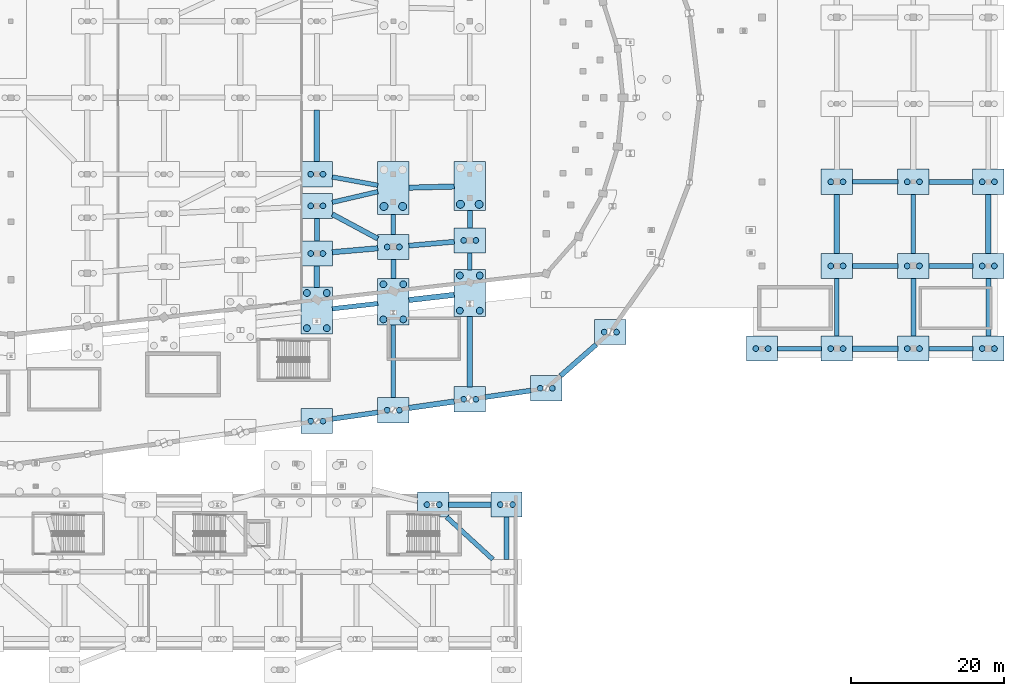
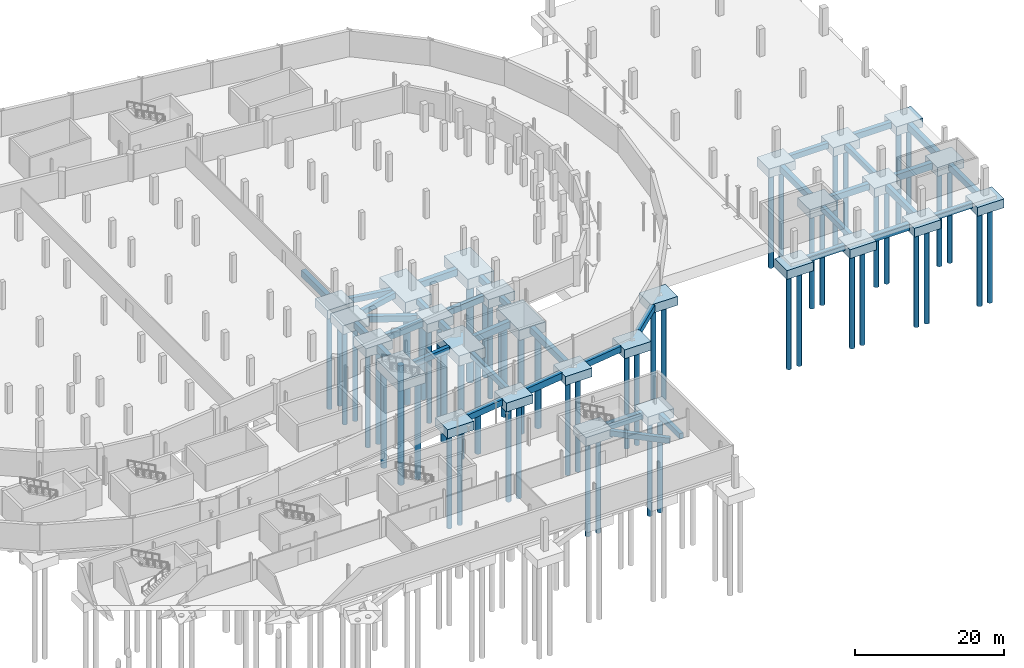
# One storey, part 5 of 55: 64 footings, 60 piles.
"""IFC4 building model written with IfcOpenShell, lengths in metres."""

from ifc_helpers import new_model, si_unit, direction, frame, origin, origin_2d, place, context, subcontext, project, spatial, rectangle, circle, extrude, material, material_profile, profile_set, type_object, element, save


model = new_model("IFC4")

# Units and contexts
model_context = context("Model", 3, precision=1e-05, world=origin(), true_north=direction((0.0, 1.0)))
body_context = subcontext(model_context, "Body", "Model", "MODEL_VIEW")
ifc_project = project(units=[si_unit("LENGTHUNIT", "METRE"), si_unit("AREAUNIT", "SQUARE_METRE"), si_unit("VOLUMEUNIT", "CUBIC_METRE"), si_unit("PLANEANGLEUNIT", "RADIAN"), si_unit("MASSUNIT", "GRAM", prefix="KILO")], contexts=[model_context])

# Site, building, storey
site_placement = place(None, origin())
site = spatial("IfcSite", under=ifc_project, at=site_placement, CompositionType="ELEMENT")
building_placement = place(site_placement, origin())
building = spatial("IfcBuilding", under=site, at=building_placement, Name="Sohan Crest Arena", CompositionType="ELEMENT")
storey_placement = place(building_placement, frame((0.0, 0.0, -4.5)))
storey = spatial("IfcBuildingStorey", under=building, at=storey_placement, Name="B1", CompositionType="ELEMENT", Elevation=-4.5)

# Footings
ifc_material = material(Name="Concrete C40/50", Category="concrete")
ifc_material_profile_1 = material_profile(ifc_material, rectangle(XDim=0.60009765625, YDim=0.89990234375, at=origin_2d()), Name="RC-FB 600x900")
ifc_profile_set_1 = profile_set([ifc_material_profile_1], Name="Concrete C40/50")
footing_type_1 = type_object("IfcFootingType", Name="FND-FB01", PredefinedType="FOOTING_BEAM", material=ifc_profile_set_1)
footing_1_placement = place(storey_placement, frame((140.030029296875, 50.403076171875, -1.0), z_axis=(0.993530698181, 0.113563866488, 0.0), x_axis=(-0.113563866488, 0.993530698181, 0.0)))
element("IfcFooting", 1, at=footing_1_placement, inside=storey, type_object=footing_type_1, Name="Continuous RC footing tie beam FB-144", PredefinedType="FOOTING_BEAM", context=body_context, shape_type="SweptSolid", body=[
    extrude(rectangle(XDim=0.60009765625, YDim=0.89990234375, at=origin_2d()), origin(), (0.0, 0.0, 1.0), 5.978515625),
])
footing_2_placement = place(storey_placement, frame((140.030029296875, 64.330078125, -1.0), z_axis=(0.973991592445, 0.226584151798, 0.0), x_axis=(-0.226584151798, 0.973991592445, 0.0)))
element("IfcFooting", 2, at=footing_2_placement, inside=storey, type_object=footing_type_1, Name="Continuous RC footing tie beam FB-147", PredefinedType="FOOTING_BEAM", context=body_context, shape_type="SweptSolid", body=[
    extrude(rectangle(XDim=0.60009765625, YDim=0.89990234375, at=origin_2d()), origin(), (0.0, 0.0, 1.0), 6.0986328125),
])
footing_3_placement = place(storey_placement, frame((140.030029296875, 67.632080078125, -1.0), z_axis=(0.983895781155, -0.17874308889, 0.0), x_axis=(0.17874308889, 0.983895781155, 0.0)))
element("IfcFooting", 3, at=footing_3_placement, inside=storey, type_object=footing_type_1, Name="Continuous RC footing tie beam FB-150", PredefinedType="FOOTING_BEAM", context=body_context, shape_type="SweptSolid", body=[
    extrude(rectangle(XDim=0.60009765625, YDim=0.89990234375, at=origin_2d()), origin(), (0.0, 0.0, 1.0), 6.037109375),
])
footing_4_placement = place(storey_placement, frame((148.0, 38.77294921875, -1.0), z_axis=(0.0, 1.0, 0.0), x_axis=(-1.0, 0.0, 0.0)))
element("IfcFooting", 4, at=footing_4_placement, inside=storey, type_object=footing_type_1, Name="Continuous RC footing tie beam FB-168", PredefinedType="FOOTING_BEAM", context=body_context, shape_type="SweptSolid", body=[
    extrude(rectangle(XDim=0.60009765625, YDim=0.89990234375, at=origin_2d()), origin(), (0.0, 0.0, 1.0), 9.510986328125),
])
footing_5_placement = place(storey_placement, frame((148.0, 60.115966796875, -1.0), z_axis=(0.0, 1.0, 0.0), x_axis=(-1.0, 0.0, 0.0)))
element("IfcFooting", 5, at=footing_5_placement, inside=storey, type_object=footing_type_1, Name="Continuous RC footing tie beam FB-171", PredefinedType="FOOTING_BEAM", context=body_context, shape_type="SweptSolid", body=[
    extrude(rectangle(XDim=0.60009765625, YDim=0.89990234375, at=origin_2d()), origin(), (0.0, 0.0, 1.0), 2.6240234375),
])
footing_6_placement = place(storey_placement, frame((154.97802734375, 23.169921875, -1.0), z_axis=(0.737168972532, -0.675708447435, 0.0), x_axis=(0.675708447435, 0.737168972532, 0.0)))
element("IfcFooting", 6, at=footing_6_placement, inside=storey, type_object=footing_type_1, Name="Continuous RC footing tie beam FB-189", PredefinedType="FOOTING_BEAM", context=body_context, shape_type="SweptSolid", body=[
    extrude(rectangle(XDim=0.60009765625, YDim=0.89990234375, at=origin_2d()), origin(), (0.0, 0.0, 1.0), 8.198974609375),
])
footing_7_placement = place(storey_placement, frame((158.0, 55.487060546875, -1.0), z_axis=(0.0, 1.0, 0.0), x_axis=(-1.0, 0.0, 0.0)))
element("IfcFooting", 7, at=footing_7_placement, inside=storey, type_object=footing_type_1, Name="Continuous RC footing tie beam FB-192", PredefinedType="FOOTING_BEAM", context=body_context, shape_type="SweptSolid", body=[
    extrude(rectangle(XDim=0.60009765625, YDim=0.89990234375, at=origin_2d()), origin(), (0.0, 0.0, 1.0), 2.225830078125),
])
footing_8_placement = place(storey_placement, frame((162.800048828125, 17.6298828125, -1.0), z_axis=(0.0, 1.0, 0.0), x_axis=(-1.0, 0.0, 0.0)))
element("IfcFooting", 8, at=footing_8_placement, inside=storey, type_object=footing_type_1, Name="Continuous RC footing tie beam FB-201", PredefinedType="FOOTING_BEAM", context=body_context, shape_type="SweptSolid", body=[
    extrude(rectangle(XDim=0.60009765625, YDim=0.89990234375, at=origin_2d()), origin(), (0.0, 0.0, 1.0), 5.5400390625),
])
footing_9_placement = place(storey_placement, frame((198.22998046875, 45.199951171875, -1.0), z_axis=(1.0, 0.0, 0.0), x_axis=(0.0, 1.0, 0.0)))
element("IfcFooting", 9, at=footing_9_placement, inside=storey, type_object=footing_type_1, Name="Continuous RC footing tie beam FB-204", PredefinedType="FOOTING_BEAM", context=body_context, shape_type="SweptSolid", body=[
    extrude(rectangle(XDim=0.60009765625, YDim=0.89990234375, at=origin_2d()), origin(), (0.0, 0.0, 1.0), 5.739990234375),
])
footing_10_placement = place(storey_placement, frame((206.0, 46.830078125, -1.0), z_axis=(0.0, 1.0, 0.0), x_axis=(-1.0, 0.0, 0.0)))
element("IfcFooting", 10, at=footing_10_placement, inside=storey, type_object=footing_type_1, Name="Continuous RC footing tie beam FB-207", PredefinedType="FOOTING_BEAM", context=body_context, shape_type="SweptSolid", body=[
    extrude(rectangle(XDim=0.60009765625, YDim=0.89990234375, at=origin_2d()), origin(), (0.0, 0.0, 1.0), 7.5400390625),
])
footing_11_placement = place(storey_placement, frame((208.030029296875, 67.0, -1.0), z_axis=(1.0, 0.0, 0.0), x_axis=(0.0, 1.0, 0.0)))
element("IfcFooting", 11, at=footing_11_placement, inside=storey, type_object=footing_type_1, Name="Continuous RC footing tie beam FB-210", PredefinedType="FOOTING_BEAM", context=body_context, shape_type="SweptSolid", body=[
    extrude(rectangle(XDim=0.60009765625, YDim=0.89990234375, at=origin_2d()), origin(), (0.0, 0.0, 1.0), 5.93994140625),
])
footing_12_placement = place(storey_placement, frame((218.030029296875, 45.199951171875, -1.0), z_axis=(1.0, 0.0, 0.0), x_axis=(0.0, 1.0, 0.0)))
element("IfcFooting", 12, at=footing_12_placement, inside=storey, type_object=footing_type_1, Name="Continuous RC footing tie beam FB-219", PredefinedType="FOOTING_BEAM", context=body_context, shape_type="SweptSolid", body=[
    extrude(rectangle(XDim=0.60009765625, YDim=0.89990234375, at=origin_2d()), origin(), (0.0, 0.0, 1.0), 5.739990234375),
])
footing_13_placement = place(storey_placement, frame((216.0, 57.6298828125, -1.0), z_axis=(0.0, 1.0, 0.0), x_axis=(-1.0, 0.0, 0.0)))
element("IfcFooting", 13, at=footing_13_placement, inside=storey, type_object=footing_type_1, Name="Continuous RC footing tie beam FB-222", PredefinedType="FOOTING_BEAM", context=body_context, shape_type="SweptSolid", body=[
    extrude(rectangle(XDim=0.60009765625, YDim=0.89990234375, at=origin_2d()), origin(), (0.0, 0.0, 1.0), 7.740234375),
])
ifc_material_profile_2 = material_profile(ifc_material, rectangle(XDim=0.64990234375, YDim=1.0, at=origin_2d()), Name="RC-FB 650x1000")
ifc_profile_set_2 = profile_set([ifc_material_profile_2], Name="Concrete C40/50")
footing_type_2 = type_object("IfcFootingType", Name="FND-FB02", PredefinedType="FOOTING_BEAM", material=ifc_profile_set_2)
footing_14_placement = place(storey_placement, frame((140.030029296875, 36.00390625, -1.050048828125), z_axis=(0.989936469339, 0.141512496521, 0.0), x_axis=(-0.141512496521, 0.989936469339, 0.0)))
element("IfcFooting", 14, at=footing_14_placement, inside=storey, type_object=footing_type_2, Name="Continuous RC footing tie beam FB-142", PredefinedType="FOOTING_BEAM", context=body_context, shape_type="SweptSolid", body=[
    extrude(rectangle(XDim=0.64990234375, YDim=1.0, at=origin_2d()), origin(), (0.0, 0.0, 1.0), 6.000244140625),
])
footing_15_placement = place(storey_placement, frame((138.0, 59.259033203125, -1.050048828125), z_axis=(0.0, 1.0, 0.0), x_axis=(-1.0, 0.0, 0.0)))
element("IfcFooting", 15, at=footing_15_placement, inside=storey, type_object=footing_type_2, Name="Continuous RC footing tie beam FB-145", PredefinedType="FOOTING_BEAM", context=body_context, shape_type="SweptSolid", body=[
    extrude(rectangle(XDim=0.64990234375, YDim=1.0, at=origin_2d()), origin(), (0.0, 0.0, 1.0), 2.968017578125),
])
footing_16_placement = place(storey_placement, frame((140.030029296875, 62.76708984375, -1.050048828125), z_axis=(0.88092063574, -0.473264020952, 0.0), x_axis=(0.473264020952, 0.88092063574, 0.0)))
element("IfcFooting", 16, at=footing_16_placement, inside=storey, type_object=footing_type_2, Name="Continuous RC footing tie beam FB-148", PredefinedType="FOOTING_BEAM", context=body_context, shape_type="SweptSolid", body=[
    extrude(rectangle(XDim=0.64990234375, YDim=1.0, at=origin_2d()), origin(), (0.0, 0.0, 1.0), 6.742919921875),
])
footing_17_placement = place(storey_placement, frame((148.0, 54.343994140625, -1.050048828125), z_axis=(0.0, 1.0, 0.0), x_axis=(-1.0, 0.0, 0.0)))
element("IfcFooting", 17, at=footing_17_placement, inside=storey, type_object=footing_type_2, Name="Continuous RC footing tie beam FB-169", PredefinedType="FOOTING_BEAM", context=body_context, shape_type="SweptSolid", body=[
    extrude(rectangle(XDim=0.64990234375, YDim=1.0, at=origin_2d()), origin(), (0.0, 0.0, 1.0), 2.511962890625),
])
footing_18_placement = place(storey_placement, frame((150.030029296875, 58.659912109375, -1.050048828125), z_axis=(0.996348142256, 0.085383718726, 0.0), x_axis=(-0.085383718726, 0.996348142256, 0.0)))
element("IfcFooting", 18, at=footing_18_placement, inside=storey, type_object=footing_type_2, Name="Continuous RC footing tie beam FB-172", PredefinedType="FOOTING_BEAM", context=body_context, shape_type="SweptSolid", body=[
    extrude(rectangle(XDim=0.64990234375, YDim=1.0, at=origin_2d()), origin(), (0.0, 0.0, 1.0), 5.961669921875),
])
footing_19_placement = place(storey_placement, frame((160.030029296875, 38.861083984375, -1.050048828125), z_axis=(0.989942168471, 0.14147262309, 0.0), x_axis=(-0.14147262309, 0.989942168471, 0.0)))
element("IfcFooting", 19, at=footing_19_placement, inside=storey, type_object=footing_type_2, Name="Continuous RC footing tie beam FB-190", PredefinedType="FOOTING_BEAM", context=body_context, shape_type="SweptSolid", body=[
    extrude(rectangle(XDim=0.64990234375, YDim=1.0, at=origin_2d()), origin(), (0.0, 0.0, 1.0), 6.000244140625),
])
footing_20_placement = place(storey_placement, frame((158.0, 60.972900390625, -1.050048828125), z_axis=(0.0, 1.0, 0.0), x_axis=(-1.0, 0.0, 0.0)))
element("IfcFooting", 20, at=footing_20_placement, inside=storey, type_object=footing_type_2, Name="Continuous RC footing tie beam FB-193", PredefinedType="FOOTING_BEAM", context=body_context, shape_type="SweptSolid", body=[
    extrude(rectangle(XDim=0.64990234375, YDim=1.0, at=origin_2d()), origin(), (0.0, 0.0, 1.0), 2.28515625),
])
footing_21_placement = place(storey_placement, frame((169.85791015625, 41.6298828125, -1.050048828125), z_axis=(0.751650354053, 0.659561782741, 0.0), x_axis=(-0.659561782741, 0.751650354053, 0.0)))
element("IfcFooting", 21, at=footing_21_placement, inside=storey, type_object=footing_type_2, Name="Continuous RC footing tie beam FB-202", PredefinedType="FOOTING_BEAM", context=body_context, shape_type="SweptSolid", body=[
    extrude(rectangle(XDim=0.64990234375, YDim=1.0, at=origin_2d()), origin(), (0.0, 0.0, 1.0), 6.208984375),
])
footing_22_placement = place(storey_placement, frame((208.030029296875, 56.0, -1.050048828125), z_axis=(1.0, 0.0, 0.0), x_axis=(0.0, 1.0, 0.0)))
element("IfcFooting", 22, at=footing_22_placement, inside=storey, type_object=footing_type_2, Name="Continuous RC footing tie beam FB-208", PredefinedType="FOOTING_BEAM", context=body_context, shape_type="SweptSolid", body=[
    extrude(rectangle(XDim=0.64990234375, YDim=1.0, at=origin_2d()), origin(), (0.0, 0.0, 1.0), 5.93994140625),
])
footing_23_placement = place(storey_placement, frame((216.0, 46.830078125, -1.050048828125), z_axis=(0.0, 1.0, 0.0), x_axis=(-1.0, 0.0, 0.0)))
element("IfcFooting", 23, at=footing_23_placement, inside=storey, type_object=footing_type_2, Name="Continuous RC footing tie beam FB-220", PredefinedType="FOOTING_BEAM", context=body_context, shape_type="SweptSolid", body=[
    extrude(rectangle(XDim=0.64990234375, YDim=1.0, at=origin_2d()), origin(), (0.0, 0.0, 1.0), 7.5400390625),
])
footing_24_placement = place(storey_placement, frame((218.030029296875, 67.0, -1.050048828125), z_axis=(1.0, 0.0, 0.0), x_axis=(0.0, 1.0, 0.0)))
element("IfcFooting", 24, at=footing_24_placement, inside=storey, type_object=footing_type_2, Name="Continuous RC footing tie beam FB-223", PredefinedType="FOOTING_BEAM", context=body_context, shape_type="SweptSolid", body=[
    extrude(rectangle(XDim=0.64990234375, YDim=1.0, at=origin_2d()), origin(), (0.0, 0.0, 1.0), 5.739990234375),
])
footing_25_placement = place(storey_placement, frame((225.800048828125, 46.830078125, -1.050048828125), z_axis=(0.0, 1.0, 0.0), x_axis=(-1.0, 0.0, 0.0)))
element("IfcFooting", 25, at=footing_25_placement, inside=storey, type_object=footing_type_2, Name="Continuous RC footing tie beam FB-232", PredefinedType="FOOTING_BEAM", context=body_context, shape_type="SweptSolid", body=[
    extrude(rectangle(XDim=0.64990234375, YDim=1.0, at=origin_2d()), origin(), (0.0, 0.0, 1.0), 7.5400390625),
])
ifc_material_profile_3 = material_profile(ifc_material, rectangle(XDim=0.699951171875, YDim=1.10009765625, at=origin_2d()), Name="RC-FB 700x1100")
ifc_profile_set_3 = profile_set([ifc_material_profile_3], Name="Concrete C40/50")
footing_type_3 = type_object("IfcFootingType", Name="FND-FB03", PredefinedType="FOOTING_BEAM", material=ifc_profile_set_3)
footing_26_placement = place(storey_placement, frame((138.0, 53.200927734375, -1.10009765625), z_axis=(0.0, 1.0, 0.0), x_axis=(-1.0, 0.0, 0.0)))
element("IfcFooting", 26, at=footing_26_placement, inside=storey, type_object=footing_type_3, Name="Continuous RC footing tie beam FB-143", PredefinedType="FOOTING_BEAM", context=body_context, shape_type="SweptSolid", body=[
    extrude(rectangle(XDim=0.699951171875, YDim=1.10009765625, at=origin_2d()), origin(), (0.0, 0.0, 1.0), 2.798095703125),
])
footing_27_placement = place(storey_placement, frame((140.030029296875, 57.802978515625, -1.10009765625), z_axis=(0.996348142256, 0.085383718726, 0.0), x_axis=(-0.085383718726, 0.996348142256, 0.0)))
element("IfcFooting", 27, at=footing_27_placement, inside=storey, type_object=footing_type_3, Name="Continuous RC footing tie beam FB-146", PredefinedType="FOOTING_BEAM", context=body_context, shape_type="SweptSolid", body=[
    extrude(rectangle(XDim=0.699951171875, YDim=1.10009765625, at=origin_2d()), origin(), (0.0, 0.0, 1.0), 5.961669921875),
])
footing_28_placement = place(storey_placement, frame((138.0, 69.6298828125, -1.10009765625), z_axis=(0.0, 1.0, 0.0), x_axis=(-1.0, 0.0, 0.0)))
element("IfcFooting", 28, at=footing_28_placement, inside=storey, type_object=footing_type_3, Name="Continuous RC footing tie beam FB-149", PredefinedType="FOOTING_BEAM", context=body_context, shape_type="SweptSolid", body=[
    extrude(rectangle(XDim=0.699951171875, YDim=1.10009765625, at=origin_2d()), origin(), (0.0, 0.0, 1.0), 6.740234375),
])
footing_29_placement = place(storey_placement, frame((150.030029296875, 37.43310546875, -1.10009765625), z_axis=(0.989964949589, 0.141313122479, 0.0), x_axis=(-0.141313122479, 0.989964949589, 0.0)))
element("IfcFooting", 29, at=footing_29_placement, inside=storey, type_object=footing_type_3, Name="Continuous RC footing tie beam FB-167", PredefinedType="FOOTING_BEAM", context=body_context, shape_type="SweptSolid", body=[
    extrude(rectangle(XDim=0.699951171875, YDim=1.10009765625, at=origin_2d()), origin(), (0.0, 0.0, 1.0), 6.000244140625),
])
footing_30_placement = place(storey_placement, frame((150.030029296875, 51.5458984375, -1.10009765625), z_axis=(0.993526089935, 0.113604175183, 0.0), x_axis=(-0.113604175183, 0.993526089935, 0.0)))
element("IfcFooting", 30, at=footing_30_placement, inside=storey, type_object=footing_type_3, Name="Continuous RC footing tie beam FB-170", PredefinedType="FOOTING_BEAM", context=body_context, shape_type="SweptSolid", body=[
    extrude(rectangle(XDim=0.699951171875, YDim=1.10009765625, at=origin_2d()), origin(), (0.0, 0.0, 1.0), 5.978759765625),
])
footing_31_placement = place(storey_placement, frame((150.030029296875, 66.237060546875, -1.10009765625), z_axis=(0.999663855907, 0.02592634168, 0.0), x_axis=(-0.02592634168, 0.999663855907, 0.0)))
element("IfcFooting", 31, at=footing_31_placement, inside=storey, type_object=footing_type_3, Name="Continuous RC footing tie beam FB-173", PredefinedType="FOOTING_BEAM", context=body_context, shape_type="SweptSolid", body=[
    extrude(rectangle(XDim=0.699951171875, YDim=1.10009765625, at=origin_2d()), origin(), (0.0, 0.0, 1.0), 5.94189453125),
])
footing_32_placement = place(storey_placement, frame((155.22998046875, 24.800048828125, -1.10009765625), z_axis=(1.0, 0.0, 0.0), x_axis=(0.0, 1.0, 0.0)))
element("IfcFooting", 32, at=footing_32_placement, inside=storey, type_object=footing_type_3, Name="Continuous RC footing tie beam FB-188", PredefinedType="FOOTING_BEAM", context=body_context, shape_type="SweptSolid", body=[
    extrude(rectangle(XDim=0.699951171875, YDim=1.10009765625, at=origin_2d()), origin(), (0.0, 0.0, 1.0), 5.5400390625),
])
footing_33_placement = place(storey_placement, frame((158.0, 40.200927734375, -1.10009765625), z_axis=(0.0, 1.0, 0.0), x_axis=(-1.0, 0.0, 0.0)))
element("IfcFooting", 33, at=footing_33_placement, inside=storey, type_object=footing_type_3, Name="Continuous RC footing tie beam FB-191", PredefinedType="FOOTING_BEAM", context=body_context, shape_type="SweptSolid", body=[
    extrude(rectangle(XDim=0.699951171875, YDim=1.10009765625, at=origin_2d()), origin(), (0.0, 0.0, 1.0), 9.22607421875),
])
footing_34_placement = place(storey_placement, frame((208.030029296875, 45.199951171875, -1.10009765625), z_axis=(1.0, 0.0, 0.0), x_axis=(0.0, 1.0, 0.0)))
element("IfcFooting", 34, at=footing_34_placement, inside=storey, type_object=footing_type_3, Name="Continuous RC footing tie beam FB-206", PredefinedType="FOOTING_BEAM", context=body_context, shape_type="SweptSolid", body=[
    extrude(rectangle(XDim=0.699951171875, YDim=1.10009765625, at=origin_2d()), origin(), (0.0, 0.0, 1.0), 5.93994140625),
])
footing_35_placement = place(storey_placement, frame((206.0, 57.6298828125, -1.10009765625), z_axis=(0.0, 1.0, 0.0), x_axis=(-1.0, 0.0, 0.0)))
element("IfcFooting", 35, at=footing_35_placement, inside=storey, type_object=footing_type_3, Name="Continuous RC footing tie beam FB-209", PredefinedType="FOOTING_BEAM", context=body_context, shape_type="SweptSolid", body=[
    extrude(rectangle(XDim=0.699951171875, YDim=1.10009765625, at=origin_2d()), origin(), (0.0, 0.0, 1.0), 7.740234375),
])
footing_36_placement = place(storey_placement, frame((218.030029296875, 56.0, -1.10009765625), z_axis=(1.0, 0.0, 0.0), x_axis=(0.0, 1.0, 0.0)))
element("IfcFooting", 36, at=footing_36_placement, inside=storey, type_object=footing_type_3, Name="Continuous RC footing tie beam FB-221", PredefinedType="FOOTING_BEAM", context=body_context, shape_type="SweptSolid", body=[
    extrude(rectangle(XDim=0.699951171875, YDim=1.10009765625, at=origin_2d()), origin(), (0.0, 0.0, 1.0), 5.739990234375),
])
footing_37_placement = place(storey_placement, frame((225.800048828125, 57.6298828125, -1.10009765625), z_axis=(0.0, 1.0, 0.0), x_axis=(-1.0, 0.0, 0.0)))
element("IfcFooting", 37, at=footing_37_placement, inside=storey, type_object=footing_type_3, Name="Continuous RC footing tie beam FB-233", PredefinedType="FOOTING_BEAM", context=body_context, shape_type="SweptSolid", body=[
    extrude(rectangle(XDim=0.699951171875, YDim=1.10009765625, at=origin_2d()), origin(), (0.0, 0.0, 1.0), 7.740234375),
])

# Piles
ifc_material_profile_4 = material_profile(ifc_material, circle(Radius=0.449951171875, at=origin_2d()), Name="PILE D900")
ifc_profile_set_4 = profile_set([ifc_material_profile_4], Name="Concrete C40/50")
pile_type_1 = type_object("IfcPileType", Name="FND-P01", PredefinedType="BORED", material=ifc_profile_set_4)
for number, where, z_axis, x_axis, name in (
    (38, (139.300048828125, 47.87109375, -18.0), (0.0, 0.0, 1.0), (1.0, 0.0, 0.0), "Bored Concrete C40/50 pile P-095-1"),
    (39, (139.300048828125, 52.470947265625, -18.0), (0.0, 0.0, 1.0), (1.0, 0.0, 0.0), "Bored Concrete C40/50 pile P-095-2"),
    (40, (136.699951171875, 47.87109375, -18.0), (0.0, 0.0, 1.0), (1.0, 0.0, 0.0), "Bored Concrete C40/50 pile P-095-3"),
    (41, (136.699951171875, 52.470947265625, -18.0), (0.0, 0.0, 1.0), (1.0, 0.0, 0.0), "Bored Concrete C40/50 pile P-095-4"),
    (42, (149.300048828125, 49.013916015625, -18.0), (0.0, 0.0, 1.0), (1.0, 0.0, 0.0), "Bored Concrete C40/50 pile P-109-1"),
    (43, (149.300048828125, 53.614013671875, -18.0), (0.0, 0.0, 1.0), (1.0, 0.0, 0.0), "Bored Concrete C40/50 pile P-109-2"),
    (44, (146.699951171875, 49.013916015625, -18.0), (0.0, 0.0, 1.0), (1.0, 0.0, 0.0), "Bored Concrete C40/50 pile P-109-3"),
    (45, (146.699951171875, 53.614013671875, -18.0), (0.0, 0.0, 1.0), (1.0, 0.0, 0.0), "Bored Concrete C40/50 pile P-109-4"),
    (46, (159.300048828125, 50.156982421875, -18.0), (0.0, 0.0, 1.0), (1.0, 0.0, 0.0), "Bored Concrete C40/50 pile P-121-1"),
    (47, (159.300048828125, 54.757080078125, -18.0), (0.0, 0.0, 1.0), (1.0, 0.0, 0.0), "Bored Concrete C40/50 pile P-121-2"),
    (48, (156.699951171875, 50.156982421875, -18.0), (0.0, 0.0, 1.0), (1.0, 0.0, 0.0), "Bored Concrete C40/50 pile P-121-3"),
    (49, (156.699951171875, 54.757080078125, -18.0), (0.0, 0.0, 1.0), (1.0, 0.0, 0.0), "Bored Concrete C40/50 pile P-121-4"),
):
    element("IfcPile", number, at=place(storey_placement, frame(where, z_axis=z_axis, x_axis=x_axis)), inside=storey, type_object=pile_type_1, Name=name, PredefinedType="BORED", context=body_context, shape_type="SweptSolid", body=[
        extrude(circle(Radius=0.449951171875, at=origin_2d()), origin(), (0.0, 0.0, 1.0), 15.919921875),
    ])
ifc_material_profile_5 = material_profile(ifc_material, circle(Radius=0.52490234375, at=origin_2d()), Name="PILE D1050")
ifc_profile_set_5 = profile_set([ifc_material_profile_5], Name="Concrete C40/50")
pile_type_2 = type_object("IfcPileType", Name="FND-P02", PredefinedType="BORED", material=ifc_profile_set_5)
for number, where, z_axis, x_axis, name in (
    (50, (149.22509765625, 63.784912109375, -18.0), (0.0, 0.0, 1.0), (1.0, 0.0, 0.0), "Bored Concrete C40/50 pile P-111-1"),
    (51, (146.77490234375, 63.784912109375, -18.0), (0.0, 0.0, 1.0), (1.0, 0.0, 0.0), "Bored Concrete C40/50 pile P-111-3"),
):
    element("IfcPile", number, at=place(storey_placement, frame(where, z_axis=z_axis, x_axis=x_axis)), inside=storey, type_object=pile_type_2, Name=name, PredefinedType="BORED", context=body_context, shape_type="SweptSolid", body=[
        extrude(circle(Radius=0.52490234375, at=origin_2d()), origin(), (0.0, 0.0, 1.0), 15.820068359375),
    ])
for number, where, z_axis, x_axis, name in (
    (52, (159.22509765625, 64.06298828125, -18.0), (0.0, 0.0, 1.0), (1.0, 0.0, 0.0), "Bored Concrete C40/50 pile P-123-1"),
    (53, (156.77490234375, 64.06298828125, -18.0), (0.0, 0.0, 1.0), (1.0, 0.0, 0.0), "Bored Concrete C40/50 pile P-123-3"),
):
    element("IfcPile", number, at=place(storey_placement, frame(where, z_axis=z_axis, x_axis=x_axis)), inside=storey, type_object=pile_type_2, Name=name, PredefinedType="BORED", context=body_context, shape_type="SweptSolid", body=[
        extrude(circle(Radius=0.52490234375, at=origin_2d()), origin(), (0.0, 0.0, 1.0), 15.8701171875),
    ])
ifc_material_profile_6 = material_profile(ifc_material, circle(Radius=0.375, at=origin_2d()), Name="PILE D750")
ifc_profile_set_6 = profile_set([ifc_material_profile_6], Name="Concrete C40/50")
pile_type_3 = type_object("IfcPileType", Name="FND-P03", PredefinedType="BORED", material=ifc_profile_set_6)
for number, where, z_axis, x_axis, name in (
    (54, (137.199951171875, 35.714111328125, -18.0), (0.0, 0.0, 1.0), (1.0, 0.0, 0.0), "Bored Concrete C40/50 pile P-094-1"),
    (55, (138.800048828125, 35.714111328125, -18.0), (0.0, 0.0, 1.0), (1.0, 0.0, 0.0), "Bored Concrete C40/50 pile P-094-2"),
    (56, (137.199951171875, 57.62890625, -18.0), (0.0, 0.0, 1.0), (1.0, 0.0, 0.0), "Bored Concrete C40/50 pile P-096-1"),
    (57, (138.800048828125, 57.62890625, -18.0), (0.0, 0.0, 1.0), (1.0, 0.0, 0.0), "Bored Concrete C40/50 pile P-096-2"),
    (58, (137.199951171875, 63.85693359375, -18.0), (0.0, 0.0, 1.0), (1.0, 0.0, 0.0), "Bored Concrete C40/50 pile P-097-1"),
    (59, (138.800048828125, 63.85693359375, -18.0), (0.0, 0.0, 1.0), (1.0, 0.0, 0.0), "Bored Concrete C40/50 pile P-097-2"),
    (60, (137.199951171875, 68.0, -18.0), (0.0, 0.0, 1.0), (1.0, 0.0, 0.0), "Bored Concrete C40/50 pile P-098-1"),
    (61, (138.800048828125, 68.0, -18.0), (0.0, 0.0, 1.0), (1.0, 0.0, 0.0), "Bored Concrete C40/50 pile P-098-2"),
    (62, (147.199951171875, 37.14306640625, -18.0), (0.0, 0.0, 1.0), (1.0, 0.0, 0.0), "Bored Concrete C40/50 pile P-108-1"),
    (63, (148.800048828125, 37.14306640625, -18.0), (0.0, 0.0, 1.0), (1.0, 0.0, 0.0), "Bored Concrete C40/50 pile P-108-2"),
    (64, (147.199951171875, 58.486083984375, -18.0), (0.0, 0.0, 1.0), (1.0, 0.0, 0.0), "Bored Concrete C40/50 pile P-110-1"),
    (65, (148.800048828125, 58.486083984375, -18.0), (0.0, 0.0, 1.0), (1.0, 0.0, 0.0), "Bored Concrete C40/50 pile P-110-2"),
    (66, (152.39990234375, 24.800048828125, -18.0), (0.0, 0.0, 1.0), (1.0, 0.0, 0.0), "Bored Concrete C40/50 pile P-119-1"),
    (67, (154.0, 24.800048828125, -18.0), (0.0, 0.0, 1.0), (1.0, 0.0, 0.0), "Bored Concrete C40/50 pile P-119-2"),
    (68, (157.199951171875, 38.571044921875, -18.0), (0.0, 0.0, 1.0), (1.0, 0.0, 0.0), "Bored Concrete C40/50 pile P-120-1"),
    (69, (158.800048828125, 38.571044921875, -18.0), (0.0, 0.0, 1.0), (1.0, 0.0, 0.0), "Bored Concrete C40/50 pile P-120-2"),
    (70, (157.199951171875, 59.343017578125, -18.0), (0.0, 0.0, 1.0), (1.0, 0.0, 0.0), "Bored Concrete C40/50 pile P-122-1"),
    (71, (158.800048828125, 59.343017578125, -18.0), (0.0, 0.0, 1.0), (1.0, 0.0, 0.0), "Bored Concrete C40/50 pile P-122-2"),
    (72, (162.0, 24.800048828125, -18.0), (0.0, 0.0, 1.0), (1.0, 0.0, 0.0), "Bored Concrete C40/50 pile P-132-1"),
    (73, (163.60009765625, 24.800048828125, -18.0), (0.0, 0.0, 1.0), (1.0, 0.0, 0.0), "Bored Concrete C40/50 pile P-132-2"),
    (74, (167.199951171875, 40.0, -18.0), (0.0, 0.0, 1.0), (1.0, 0.0, 0.0), "Bored Concrete C40/50 pile P-133-1"),
    (75, (168.800048828125, 40.0, -18.0), (0.0, 0.0, 1.0), (1.0, 0.0, 0.0), "Bored Concrete C40/50 pile P-133-2"),
    (76, (175.5830078125, 47.35498046875, -18.0), (0.0, 0.0, 1.0), (1.0, 0.0, 0.0), "Bored Concrete C40/50 pile P-136-1"),
    (77, (177.18310546875, 47.35498046875, -18.0), (0.0, 0.0, 1.0), (1.0, 0.0, 0.0), "Bored Concrete C40/50 pile P-136-2"),
    (78, (195.39990234375, 45.199951171875, -18.0), (0.0, 0.0, 1.0), (1.0, 0.0, 0.0), "Bored Concrete C40/50 pile P-138-1"),
    (79, (197.0, 45.199951171875, -18.0), (0.0, 0.0, 1.0), (1.0, 0.0, 0.0), "Bored Concrete C40/50 pile P-138-2"),
    (80, (205.199951171875, 45.199951171875, -18.0), (0.0, 0.0, 1.0), (1.0, 0.0, 0.0), "Bored Concrete C40/50 pile P-140-1"),
    (81, (206.800048828125, 45.199951171875, -18.0), (0.0, 0.0, 1.0), (1.0, 0.0, 0.0), "Bored Concrete C40/50 pile P-140-2"),
    (82, (205.199951171875, 56.0, -18.0), (0.0, 0.0, 1.0), (1.0, 0.0, 0.0), "Bored Concrete C40/50 pile P-141-1"),
    (83, (206.800048828125, 56.0, -18.0), (0.0, 0.0, 1.0), (1.0, 0.0, 0.0), "Bored Concrete C40/50 pile P-141-2"),
    (84, (205.199951171875, 67.0, -18.0), (0.0, 0.0, 1.0), (1.0, 0.0, 0.0), "Bored Concrete C40/50 pile P-142-1"),
    (85, (206.800048828125, 67.0, -18.0), (0.0, 0.0, 1.0), (1.0, 0.0, 0.0), "Bored Concrete C40/50 pile P-142-2"),
    (86, (215.199951171875, 45.199951171875, -18.0), (0.0, 0.0, 1.0), (1.0, 0.0, 0.0), "Bored Concrete C40/50 pile P-147-1"),
    (87, (216.800048828125, 45.199951171875, -18.0), (0.0, 0.0, 1.0), (1.0, 0.0, 0.0), "Bored Concrete C40/50 pile P-147-2"),
    (88, (215.199951171875, 56.0, -18.0), (0.0, 0.0, 1.0), (1.0, 0.0, 0.0), "Bored Concrete C40/50 pile P-148-1"),
    (89, (216.800048828125, 56.0, -18.0), (0.0, 0.0, 1.0), (1.0, 0.0, 0.0), "Bored Concrete C40/50 pile P-148-2"),
    (90, (215.199951171875, 67.0, -18.0), (0.0, 0.0, 1.0), (1.0, 0.0, 0.0), "Bored Concrete C40/50 pile P-149-1"),
    (91, (216.800048828125, 67.0, -18.0), (0.0, 0.0, 1.0), (1.0, 0.0, 0.0), "Bored Concrete C40/50 pile P-149-2"),
    (92, (225.0, 45.199951171875, -18.0), (0.0, 0.0, 1.0), (1.0, 0.0, 0.0), "Bored Concrete C40/50 pile P-154-1"),
    (93, (226.60009765625, 45.199951171875, -18.0), (0.0, 0.0, 1.0), (1.0, 0.0, 0.0), "Bored Concrete C40/50 pile P-154-2"),
    (94, (225.0, 56.0, -18.0), (0.0, 0.0, 1.0), (1.0, 0.0, 0.0), "Bored Concrete C40/50 pile P-155-1"),
    (95, (226.60009765625, 56.0, -18.0), (0.0, 0.0, 1.0), (1.0, 0.0, 0.0), "Bored Concrete C40/50 pile P-155-2"),
    (96, (225.0, 67.0, -18.0), (0.0, 0.0, 1.0), (1.0, 0.0, 0.0), "Bored Concrete C40/50 pile P-156-1"),
    (97, (226.60009765625, 67.0, -18.0), (0.0, 0.0, 1.0), (1.0, 0.0, 0.0), "Bored Concrete C40/50 pile P-156-2"),
):
    element("IfcPile", number, at=place(storey_placement, frame(where, z_axis=z_axis, x_axis=x_axis)), inside=storey, type_object=pile_type_3, Name=name, PredefinedType="BORED", context=body_context, shape_type="SweptSolid", body=[
        extrude(circle(Radius=0.375, at=origin_2d()), origin(), (0.0, 0.0, 1.0), 16.1201171875),
    ])

# Footings
footing_type_4 = type_object("IfcFootingType", Name="FND-PC02", PredefinedType="PILE_CAP", material=ifc_material)
for number, where, z_axis, x_axis, name in (
    (98, (138.0, 35.714111328125, -2.0), (0.0, 0.0, 1.0), (1.0, 0.0, 0.0), "Reinforced concrete pile cap PC-094"),
    (99, (138.0, 57.62890625, -2.0), (0.0, 0.0, 1.0), (1.0, 0.0, 0.0), "Reinforced concrete pile cap PC-096"),
    (100, (138.0, 63.85693359375, -2.0), (0.0, 0.0, 1.0), (1.0, 0.0, 0.0), "Reinforced concrete pile cap PC-097"),
    (101, (138.0, 68.0, -2.0), (0.0, 0.0, 1.0), (1.0, 0.0, 0.0), "Reinforced concrete pile cap PC-098"),
    (102, (148.0, 37.14306640625, -2.0), (0.0, 0.0, 1.0), (1.0, 0.0, 0.0), "Reinforced concrete pile cap PC-108"),
    (103, (148.0, 58.486083984375, -2.0), (0.0, 0.0, 1.0), (1.0, 0.0, 0.0), "Reinforced concrete pile cap PC-110"),
    (104, (153.199951171875, 24.800048828125, -2.0), (0.0, 0.0, 1.0), (1.0, 0.0, 0.0), "Reinforced concrete pile cap PC-119"),
    (105, (158.0, 38.571044921875, -2.0), (0.0, 0.0, 1.0), (1.0, 0.0, 0.0), "Reinforced concrete pile cap PC-120"),
    (106, (158.0, 59.343017578125, -2.0), (0.0, 0.0, 1.0), (1.0, 0.0, 0.0), "Reinforced concrete pile cap PC-122"),
    (107, (162.800048828125, 24.800048828125, -2.0), (0.0, 0.0, 1.0), (1.0, 0.0, 0.0), "Reinforced concrete pile cap PC-132"),
    (108, (168.0, 40.0, -2.0), (0.0, 0.0, 1.0), (1.0, 0.0, 0.0), "Reinforced concrete pile cap PC-133"),
    (109, (176.383056640625, 47.35498046875, -2.0), (0.0, 0.0, 1.0), (1.0, 0.0, 0.0), "Reinforced concrete pile cap PC-136"),
    (110, (196.199951171875, 45.199951171875, -2.0), (0.0, 0.0, 1.0), (1.0, 0.0, 0.0), "Reinforced concrete pile cap PC-138"),
    (111, (206.0, 45.199951171875, -2.0), (0.0, 0.0, 1.0), (1.0, 0.0, 0.0), "Reinforced concrete pile cap PC-140"),
    (112, (206.0, 56.0, -2.0), (0.0, 0.0, 1.0), (1.0, 0.0, 0.0), "Reinforced concrete pile cap PC-141"),
    (113, (206.0, 67.0, -2.0), (0.0, 0.0, 1.0), (1.0, 0.0, 0.0), "Reinforced concrete pile cap PC-142"),
    (114, (216.0, 45.199951171875, -2.0), (0.0, 0.0, 1.0), (1.0, 0.0, 0.0), "Reinforced concrete pile cap PC-147"),
    (115, (216.0, 56.0, -2.0), (0.0, 0.0, 1.0), (1.0, 0.0, 0.0), "Reinforced concrete pile cap PC-148"),
    (116, (216.0, 67.0, -2.0), (0.0, 0.0, 1.0), (1.0, 0.0, 0.0), "Reinforced concrete pile cap PC-149"),
    (117, (225.800048828125, 45.199951171875, -2.0), (0.0, 0.0, 1.0), (1.0, 0.0, 0.0), "Reinforced concrete pile cap PC-154"),
    (118, (225.800048828125, 56.0, -2.0), (0.0, 0.0, 1.0), (1.0, 0.0, 0.0), "Reinforced concrete pile cap PC-155"),
    (119, (225.800048828125, 67.0, -2.0), (0.0, 0.0, 1.0), (1.0, 0.0, 0.0), "Reinforced concrete pile cap PC-156"),
):
    element("IfcFooting", number, at=place(storey_placement, frame(where, z_axis=z_axis, x_axis=x_axis)), inside=storey, type_object=footing_type_4, Name=name, PredefinedType="PILE_CAP", context=body_context, shape_type="SweptSolid", body=[
        extrude(rectangle(XDim=4.10009765625, YDim=3.300048828125, at=origin_2d()), origin(), (0.0, 0.0, 1.0), 1.449951171875),
    ])
footing_type_5 = type_object("IfcFootingType", Name="FND-PC06", PredefinedType="PILE_CAP", material=ifc_material)
for number, where, z_axis, x_axis, name in (
    (120, (138.0, 50.1708984375, -2.199951171875), (0.0, 0.0, 1.0), (0.0, 1.0, 0.0), "Reinforced concrete pile cap PC-095"),
    (121, (148.0, 51.31396484375, -2.199951171875), (0.0, 0.0, 1.0), (0.0, 1.0, 0.0), "Reinforced concrete pile cap PC-109"),
    (122, (158.0, 52.45703125, -2.199951171875), (0.0, 0.0, 1.0), (0.0, 1.0, 0.0), "Reinforced concrete pile cap PC-121"),
):
    element("IfcFooting", number, at=place(storey_placement, frame(where, z_axis=z_axis, x_axis=x_axis)), inside=storey, type_object=footing_type_5, Name=name, PredefinedType="PILE_CAP", context=body_context, shape_type="SweptSolid", body=[
        extrude(rectangle(XDim=6.10009765625, YDim=4.10009765625, at=origin_2d()), origin(), (0.0, 0.0, 1.0), 1.64990234375),
    ])
footing_type_6 = type_object("IfcFootingType", Name="FND-PC07", PredefinedType="PILE_CAP", material=ifc_material)
footing_38_placement = place(storey_placement, frame((158.0, 66.443115234375, -2.25), z_axis=(0.0, 0.0, 1.0), x_axis=(0.0, 1.0, 0.0)))
element("IfcFooting", 123, at=footing_38_placement, inside=storey, type_object=footing_type_6, Name="Reinforced concrete pile cap PC-123", PredefinedType="PILE_CAP", context=body_context, shape_type="SweptSolid", body=[
    extrude(rectangle(XDim=6.409912109375, YDim=4.10009765625, at=origin_2d()), origin(), (0.0, 0.0, 1.0), 1.699951171875),
])
footing_type_7 = type_object("IfcFootingType", Name="FND-PC08", PredefinedType="PILE_CAP", material=ifc_material)
footing_39_placement = place(storey_placement, frame((148.0, 66.18505859375, -2.300048828125), z_axis=(0.0, 0.0, 1.0), x_axis=(0.0, 1.0, 0.0)))
element("IfcFooting", 124, at=footing_39_placement, inside=storey, type_object=footing_type_7, Name="Reinforced concrete pile cap PC-111", PredefinedType="PILE_CAP", context=body_context, shape_type="SweptSolid", body=[
    extrude(rectangle(XDim=6.929931640625, YDim=4.10009765625, at=origin_2d()), origin(), (0.0, 0.0, 1.0), 1.75),
])

save(model, "model.ifc")
